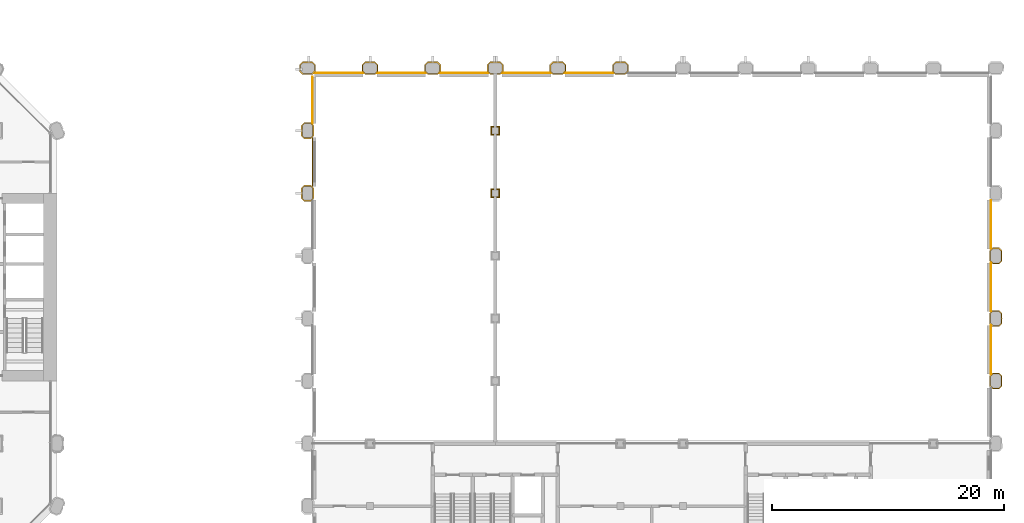
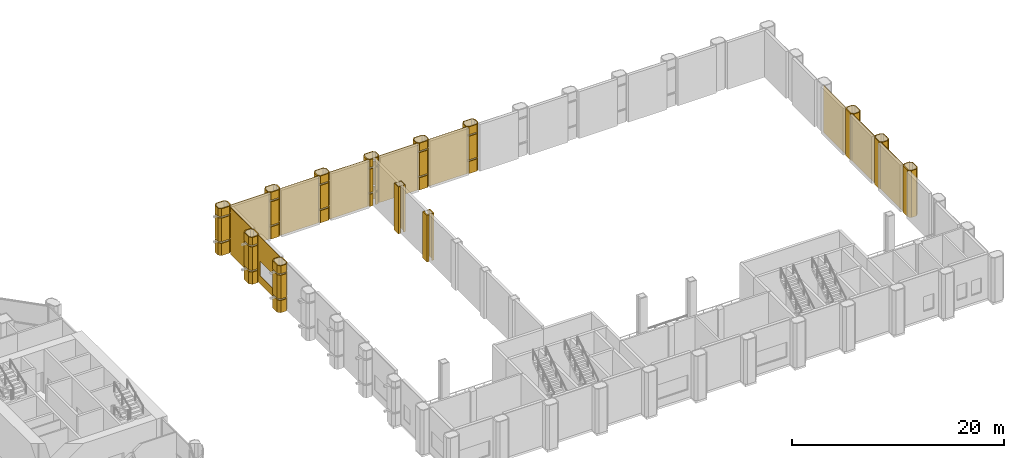
# One storey, part 26 of 27: 41 coverings.
"""IFC4 building model written with IfcOpenShell, lengths in metres."""

import ifcopenshell
import ifcopenshell.guid

model = None  # the IFC model being written
_history = None  # IfcOwnerHistory: only IFC2X3 demands one
_inside = {}  # id of a spatial element -> (the spatial element, [elements in it])
_under = {}  # id of a project, library or spatial element -> (it, [spatial elements below it])
_declared = {}  # id of a project -> (the project, [libraries it declares])
_typed = {}  # id of a type object -> (the type object, [elements of that type])
_made_of = {}  # id of a material, layer set ... -> (it, [elements and type objects made of it])


def new_model(schema):
    """Start an empty IFC model of exactly this schema.

    Asked for "IFC4X3", IfcOpenShell would pick the latest addendum, in which some entities
    have other attributes; the version numbers below select the first issue.
    IFC2X3 requires an IfcOwnerHistory on every rooted entity: one is made here for all.
    """
    global model, _history
    if schema == "IFC4X3":
        model = ifcopenshell.file(schema_version=(4, 3, 0, 0))
    else:
        model = ifcopenshell.file(schema=schema)
    _inside.clear()
    _under.clear()
    _declared.clear()
    _typed.clear()
    _made_of.clear()
    _history = None
    if model.schema == "IFC2X3":
        org = make("IfcOrganization", Name="unknown")
        user = make(
            "IfcPersonAndOrganization",
            ThePerson=make("IfcPerson", FamilyName="unknown"),
            TheOrganization=org,
        )
        app = make(
            "IfcApplication",
            ApplicationDeveloper=org,
            Version="unknown",
            ApplicationFullName="unknown",
            ApplicationIdentifier="unknown",
        )
        _history = make(
            "IfcOwnerHistory",
            OwningUser=user,
            OwningApplication=app,
            ChangeAction="ADDED",
            CreationDate=0,
        )
    return model


def make(cls, **values):
    """One entity of the class cls with the attributes given. An attribute that is None is left unset."""
    return model.create_entity(
        cls, **{name: value for name, value in values.items() if value is not None}
    )


def rooted(cls, **values):
    """An entity with a GlobalId (a new one), such as an element, a storey or a relation."""
    return make(cls, GlobalId=ifcopenshell.guid.new(), OwnerHistory=_history, **values)


def si_unit(unit_type, name, prefix=None):
    """IfcSIUnit, for example si_unit("LENGTHUNIT", "METRE", prefix="MILLI")."""
    return make("IfcSIUnit", UnitType=unit_type, Prefix=prefix, Name=name)


def assignment(units):
    """IfcUnitAssignment: the units of a project."""
    return None if units is None else make("IfcUnitAssignment", Units=units)


def point(xyz):
    """IfcCartesianPoint."""
    return None if xyz is None else make("IfcCartesianPoint", Coordinates=xyz)


def direction(xyz):
    """IfcDirection."""
    return None if xyz is None else make("IfcDirection", DirectionRatios=xyz)


def frame(location, z_axis=None, x_axis=None):
    """IfcAxis2Placement3D, a coordinate frame: its origin and axes. An axis left out is left unset."""
    return make(
        "IfcAxis2Placement3D",
        Location=point(location),
        Axis=direction(z_axis),
        RefDirection=direction(x_axis),
    )


def frame_2d(location, x_axis=None):
    """IfcAxis2Placement2D, a coordinate frame in the plane: its origin and x axis."""
    return make(
        "IfcAxis2Placement2D", Location=point(location), RefDirection=direction(x_axis)
    )


def origin():
    """The frame at (0, 0, 0) with its axes left unset."""
    return frame((0.0, 0.0, 0.0))


def place(relative_to, where):
    """IfcLocalPlacement: puts the frame where relative to a parent placement (None: the world)."""
    return make(
        "IfcLocalPlacement", PlacementRelTo=relative_to, RelativePlacement=where
    )


def context(
    kind, dimensions, precision=None, world=None, true_north=None, identifier=None
):
    """IfcGeometricRepresentationContext, for example the 3D "Model" context."""
    return make(
        "IfcGeometricRepresentationContext",
        ContextIdentifier=identifier,
        ContextType=kind,
        CoordinateSpaceDimension=dimensions,
        Precision=precision,
        WorldCoordinateSystem=world,
        TrueNorth=true_north,
    )


def subcontext(parent, identifier, kind, view, scale=None):
    """IfcGeometricRepresentationSubContext, for example "Body" below "Model"."""
    return make(
        "IfcGeometricRepresentationSubContext",
        ContextIdentifier=identifier,
        ContextType=kind,
        ParentContext=parent,
        TargetScale=scale,
        TargetView=view,
    )


def project(units=None, contexts=None):
    """IfcProject with its units and contexts."""
    return rooted(
        "IfcProject",
        Name="project",
        RepresentationContexts=contexts,
        UnitsInContext=assignment(units),
    )


def spatial(cls, under=None, at=None, **own):
    """A site, building, storey or space (cls), placed at a placement, below another one or the project."""
    s = rooted(cls, ObjectPlacement=at, **own)
    if under is not None:
        _under.setdefault(under.id(), (under, []))[1].append(s)
    return s


def polyline(points):
    """IfcPolyline through the points."""
    return make("IfcPolyline", Points=[point(p) for p in points])


def profile(cls, at=None, kind="AREA", **sizes):
    """A parametric profile (cls). Its sizes go by their IFC names, for example OverallWidth=200.0."""
    return make(cls, ProfileType=kind, Position=at, **sizes)


def rectangle(**sizes):
    """IfcRectangleProfileDef."""
    return profile("IfcRectangleProfileDef", **sizes)


def outline(outer, holes=None, kind="AREA"):
    """IfcArbitraryClosedProfileDef: a profile drawn as a closed curve; with holes, ...WithVoids."""
    if holes is None:
        return make("IfcArbitraryClosedProfileDef", ProfileType=kind, OuterCurve=outer)
    return make(
        "IfcArbitraryProfileDefWithVoids",
        ProfileType=kind,
        OuterCurve=outer,
        InnerCurves=holes,
    )


def extrude(swept, where, along, depth):
    """IfcExtrudedAreaSolid: the profile swept, set in the frame where, extruded along a direction by depth."""
    return make(
        "IfcExtrudedAreaSolid",
        SweptArea=swept,
        Position=where,
        ExtrudedDirection=direction(along),
        Depth=depth,
    )


def shape(context_of_items, identifier, shape_type, items):
    """IfcShapeRepresentation: the items that make up one representation, for example the "Body"."""
    return make(
        "IfcShapeRepresentation",
        ContextOfItems=context_of_items,
        RepresentationIdentifier=identifier,
        RepresentationType=shape_type,
        Items=items,
    )


def material(Name=None, Category=None):
    """IfcMaterial."""
    return make("IfcMaterial", Name=Name, Category=Category)


def layer(
    of_material, thickness, ventilated=None, Name=None, Category=None, Priority=None
):
    """IfcMaterialLayer: one layer of a wall or slab, of a material (None: an air gap)."""
    return make(
        "IfcMaterialLayer",
        Material=of_material,
        LayerThickness=thickness,
        IsVentilated=ventilated,
        Name=Name,
        Category=Category,
        Priority=Priority,
    )


def layer_set(layers, Name=None):
    """IfcMaterialLayerSet."""
    return make("IfcMaterialLayerSet", MaterialLayers=layers, LayerSetName=Name)


def made_of(thing, what):
    """Note that an element or type object is made of a material, layer set ...; save() writes the relation."""
    if what is not None:
        _made_of.setdefault(what.id(), (what, []))[1].append(thing)
    return thing


def type_object(cls, material=None, **own):
    """A type object (cls), such as IfcWallType, which elements share."""
    return made_of(rooted(cls, **own), material)


def element(
    cls,
    number,
    at=None,
    inside=None,
    cuts=None,
    type_object=None,
    material=None,
    context=None,
    identifier="Body",
    shape_type=None,
    held_by="IfcProductDefinitionShape",
    body=None,
    shapes=None,
    **own,
):
    """One element of the class cls, such as IfcWall. Its Tag is "e" and its number.

    at: its placement. inside: the storey or other place that contains it. cuts: it is an
    opening in that element (IfcRelVoidsElement). A single representation is given by context,
    identifier, shape_type and body (its items); several are given by shapes. held_by: the class
    of the entity that holds the representations. save() writes the other relations.
    """
    e = rooted(cls, Tag="e%d" % number, ObjectPlacement=at, **own)
    if body is not None:
        shapes = [shape(context, identifier, shape_type, body)]
    if shapes is not None:
        e.Representation = make(held_by, Representations=shapes)
    if inside is not None:
        _inside.setdefault(inside.id(), (inside, []))[1].append(e)
    if cuts is not None:
        rooted(
            "IfcRelVoidsElement", RelatingBuildingElement=cuts, RelatedOpeningElement=e
        )
    if type_object is not None:
        _typed.setdefault(type_object.id(), (type_object, []))[1].append(e)
    return made_of(e, material)


def aggregate(whole, parts):
    """IfcRelAggregates: a whole, such as a stair, and the parts it consists of."""
    return rooted("IfcRelAggregates", RelatingObject=whole, RelatedObjects=parts)


def save(model, path):
    """Write the relations noted so far, then the file.

    IfcRelAggregates (storeys below a building ...), IfcRelContainedInSpatialStructure (elements
    in a storey), IfcRelDefinesByType, IfcRelAssociatesMaterial and IfcRelDeclares: one each for
    every whole, place, type object, material and project.
    """
    for whole, parts in _under.values():
        aggregate(whole, parts)
    for where, things in _inside.values():
        rooted(
            "IfcRelContainedInSpatialStructure",
            RelatedElements=things,
            RelatingStructure=where,
        )
    for kind, things in _typed.values():
        rooted("IfcRelDefinesByType", RelatedObjects=things, RelatingType=kind)
    for what, things in _made_of.values():
        rooted("IfcRelAssociatesMaterial", RelatedObjects=things, RelatingMaterial=what)
    for by, libraries in _declared.values():
        rooted("IfcRelDeclares", RelatingContext=by, RelatedDefinitions=libraries)
    model.write(path)


model = new_model("IFC4")

# Units and contexts
model_context = context("Model", 3, precision=1e-05, world=origin(), true_north=direction((0.0, 1.0)))
body_context = subcontext(model_context, "Body", "Model", "MODEL_VIEW")
ifc_project = project(units=[si_unit("LENGTHUNIT", "METRE"), si_unit("AREAUNIT", "SQUARE_METRE"), si_unit("VOLUMEUNIT", "CUBIC_METRE"), si_unit("PLANEANGLEUNIT", "RADIAN"), si_unit("MASSUNIT", "GRAM", prefix="KILO")], contexts=[model_context])

# Site, building, storey
site_placement = place(None, origin())
site = spatial("IfcSite", under=ifc_project, at=site_placement, CompositionType="ELEMENT")
building_placement = place(site_placement, origin())
building = spatial("IfcBuilding", under=site, at=building_placement, Name="Tabaq Tower and Sports Hall", CompositionType="ELEMENT")
storey_placement = place(building_placement, frame((0.0, 0.0, 14.39990234375)))
storey = spatial("IfcBuildingStorey", under=building, at=storey_placement, Name="L02", CompositionType="ELEMENT", Elevation=14.39990234375)

# Coverings
ifc_material_1 = material(Name="Precast concrete C60/75", Category="concrete")
ifc_layer_1 = layer(ifc_material_1, 0.10009765625)
ifc_layer_set_1 = layer_set([ifc_layer_1], Name="Column cladding 100")
covering_type_1 = type_object("IfcCoveringType", Name="Column cladding 100", PredefinedType="CLADDING", material=ifc_layer_set_1)
covering_1_placement = place(storey_placement, origin())
element("IfcCovering", 1, at=covering_1_placement, inside=storey, type_object=covering_type_1, Name="Column cladding L02 HC-13G", PredefinedType="CLADDING", context=body_context, shape_type="SweptSolid", body=[
    extrude(outline(polyline([(65.09130859375, 31.7001953125), (64.5087890625, 31.7001953125), (64.250244140625, 31.958740234375), (64.250244140625, 32.84130859375), (64.5087890625, 33.099609375), (65.09130859375, 33.099609375), (65.349609375, 32.84130859375), (65.349609375, 31.958740234375), (65.09130859375, 31.7001953125)]), holes=[polyline([(65.250244140625, 32.800048828125), (65.050048828125, 33.000244140625), (64.5498046875, 33.000244140625), (64.349609375, 32.800048828125), (64.349609375, 31.999755859375), (64.5498046875, 31.7998046875), (65.050048828125, 31.7998046875), (65.250244140625, 31.999755859375), (65.250244140625, 32.800048828125)])]), origin(), (0.0, 0.0, 1.0), 1.400146484375),
])
covering_2_placement = place(storey_placement, frame((0.0, 0.0, 1.60009765625)))
element("IfcCovering", 2, at=covering_2_placement, inside=storey, type_object=covering_type_1, Name="Column cladding L02 HC-13G 2", PredefinedType="CLADDING", context=body_context, shape_type="SweptSolid", body=[
    extrude(outline(polyline([(65.09130859375, 31.7001953125), (64.5087890625, 31.7001953125), (64.250244140625, 31.958740234375), (64.250244140625, 32.84130859375), (64.5087890625, 33.099609375), (65.09130859375, 33.099609375), (65.349609375, 32.84130859375), (65.349609375, 31.958740234375), (65.09130859375, 31.7001953125)]), holes=[polyline([(65.250244140625, 32.800048828125), (65.050048828125, 33.000244140625), (64.5498046875, 33.000244140625), (64.349609375, 32.800048828125), (64.349609375, 31.999755859375), (64.5498046875, 31.7998046875), (65.050048828125, 31.7998046875), (65.250244140625, 31.999755859375), (65.250244140625, 32.800048828125)])]), origin(), (0.0, 0.0, 1.0), 2.699951171875),
])
covering_3_placement = place(storey_placement, frame((0.0, 0.0, 4.5)))
element("IfcCovering", 3, at=covering_3_placement, inside=storey, type_object=covering_type_1, Name="Column cladding L02 HC-13G 3", PredefinedType="CLADDING", context=body_context, shape_type="SweptSolid", body=[
    extrude(outline(polyline([(65.09130859375, 31.7001953125), (64.5087890625, 31.7001953125), (64.250244140625, 31.958740234375), (64.250244140625, 32.84130859375), (64.5087890625, 33.099609375), (65.09130859375, 33.099609375), (65.349609375, 32.84130859375), (65.349609375, 31.958740234375), (65.09130859375, 31.7001953125)]), holes=[polyline([(65.250244140625, 32.800048828125), (65.050048828125, 33.000244140625), (64.5498046875, 33.000244140625), (64.349609375, 32.800048828125), (64.349609375, 31.999755859375), (64.5498046875, 31.7998046875), (65.050048828125, 31.7998046875), (65.250244140625, 31.999755859375), (65.250244140625, 32.800048828125)])]), origin(), (0.0, 0.0, 1.0), 0.900146484375),
])
covering_4_placement = place(storey_placement, origin())
element("IfcCovering", 4, at=covering_4_placement, inside=storey, type_object=covering_type_1, Name="Column cladding L02 HC-13H", PredefinedType="CLADDING", context=body_context, shape_type="SweptSolid", body=[
    extrude(outline(polyline([(65.09130859375, 37.100341796875), (64.5087890625, 37.100341796875), (64.250244140625, 37.358642578125), (64.250244140625, 38.2412109375), (64.5087890625, 38.499755859375), (65.09130859375, 38.499755859375), (65.349609375, 38.2412109375), (65.349609375, 37.358642578125), (65.09130859375, 37.100341796875)]), holes=[polyline([(65.250244140625, 38.2001953125), (65.050048828125, 38.400390625), (64.5498046875, 38.400390625), (64.349609375, 38.2001953125), (64.349609375, 37.39990234375), (64.5498046875, 37.19970703125), (65.050048828125, 37.19970703125), (65.250244140625, 37.39990234375), (65.250244140625, 38.2001953125)])]), origin(), (0.0, 0.0, 1.0), 1.400146484375),
])
covering_5_placement = place(storey_placement, frame((0.0, 0.0, 1.60009765625)))
element("IfcCovering", 5, at=covering_5_placement, inside=storey, type_object=covering_type_1, Name="Column cladding L02 HC-13H 2", PredefinedType="CLADDING", context=body_context, shape_type="SweptSolid", body=[
    extrude(outline(polyline([(65.09130859375, 37.100341796875), (64.5087890625, 37.100341796875), (64.250244140625, 37.358642578125), (64.250244140625, 38.2412109375), (64.5087890625, 38.499755859375), (65.09130859375, 38.499755859375), (65.349609375, 38.2412109375), (65.349609375, 37.358642578125), (65.09130859375, 37.100341796875)]), holes=[polyline([(65.250244140625, 38.2001953125), (65.050048828125, 38.400390625), (64.5498046875, 38.400390625), (64.349609375, 38.2001953125), (64.349609375, 37.39990234375), (64.5498046875, 37.19970703125), (65.050048828125, 37.19970703125), (65.250244140625, 37.39990234375), (65.250244140625, 38.2001953125)])]), origin(), (0.0, 0.0, 1.0), 2.699951171875),
])
covering_6_placement = place(storey_placement, frame((0.0, 0.0, 4.5)))
element("IfcCovering", 6, at=covering_6_placement, inside=storey, type_object=covering_type_1, Name="Column cladding L02 HC-13H 3", PredefinedType="CLADDING", context=body_context, shape_type="SweptSolid", body=[
    extrude(outline(polyline([(65.09130859375, 37.100341796875), (64.5087890625, 37.100341796875), (64.250244140625, 37.358642578125), (64.250244140625, 38.2412109375), (64.5087890625, 38.499755859375), (65.09130859375, 38.499755859375), (65.349609375, 38.2412109375), (65.349609375, 37.358642578125), (65.09130859375, 37.100341796875)]), holes=[polyline([(65.250244140625, 38.2001953125), (65.050048828125, 38.400390625), (64.5498046875, 38.400390625), (64.349609375, 38.2001953125), (64.349609375, 37.39990234375), (64.5498046875, 37.19970703125), (65.050048828125, 37.19970703125), (65.250244140625, 37.39990234375), (65.250244140625, 38.2001953125)])]), origin(), (0.0, 0.0, 1.0), 0.900146484375),
])
covering_7_placement = place(storey_placement, origin())
element("IfcCovering", 7, at=covering_7_placement, inside=storey, type_object=covering_type_1, Name="Column cladding L02 HC-13I", PredefinedType="CLADDING", context=body_context, shape_type="SweptSolid", body=[
    extrude(outline(polyline([(64.100341796875, 42.90869140625), (64.100341796875, 43.4912109375), (64.358642578125, 43.749755859375), (65.2412109375, 43.749755859375), (65.499755859375, 43.4912109375), (65.499755859375, 42.90869140625), (65.2412109375, 42.650390625), (64.358642578125, 42.650390625), (64.100341796875, 42.90869140625)]), holes=[polyline([(65.2001953125, 42.749755859375), (65.400390625, 42.949951171875), (65.400390625, 43.4501953125), (65.2001953125, 43.650390625), (64.39990234375, 43.650390625), (64.19970703125, 43.4501953125), (64.19970703125, 42.949951171875), (64.39990234375, 42.749755859375), (65.2001953125, 42.749755859375)])]), origin(), (0.0, 0.0, 1.0), 1.400146484375),
])
covering_8_placement = place(storey_placement, frame((0.0, 0.0, 1.60009765625)))
element("IfcCovering", 8, at=covering_8_placement, inside=storey, type_object=covering_type_1, Name="Column cladding L02 HC-13I 2", PredefinedType="CLADDING", context=body_context, shape_type="SweptSolid", body=[
    extrude(outline(polyline([(64.100341796875, 42.90869140625), (64.100341796875, 43.4912109375), (64.358642578125, 43.749755859375), (65.2412109375, 43.749755859375), (65.499755859375, 43.4912109375), (65.499755859375, 42.90869140625), (65.2412109375, 42.650390625), (64.358642578125, 42.650390625), (64.100341796875, 42.90869140625)]), holes=[polyline([(65.2001953125, 42.749755859375), (65.400390625, 42.949951171875), (65.400390625, 43.4501953125), (65.2001953125, 43.650390625), (64.39990234375, 43.650390625), (64.19970703125, 43.4501953125), (64.19970703125, 42.949951171875), (64.39990234375, 42.749755859375), (65.2001953125, 42.749755859375)])]), origin(), (0.0, 0.0, 1.0), 2.699951171875),
])
covering_9_placement = place(storey_placement, frame((0.0, 0.0, 4.5)))
element("IfcCovering", 9, at=covering_9_placement, inside=storey, type_object=covering_type_1, Name="Column cladding L02 HC-13I 3", PredefinedType="CLADDING", context=body_context, shape_type="SweptSolid", body=[
    extrude(outline(polyline([(64.100341796875, 42.90869140625), (64.100341796875, 43.4912109375), (64.358642578125, 43.749755859375), (65.2412109375, 43.749755859375), (65.499755859375, 43.4912109375), (65.499755859375, 42.90869140625), (65.2412109375, 42.650390625), (64.358642578125, 42.650390625), (64.100341796875, 42.90869140625)]), holes=[polyline([(65.2001953125, 42.749755859375), (65.400390625, 42.949951171875), (65.400390625, 43.4501953125), (65.2001953125, 43.650390625), (64.39990234375, 43.650390625), (64.19970703125, 43.4501953125), (64.19970703125, 42.949951171875), (64.39990234375, 42.749755859375), (65.2001953125, 42.749755859375)])]), origin(), (0.0, 0.0, 1.0), 0.900146484375),
])
covering_10_placement = place(storey_placement, origin())
element("IfcCovering", 10, at=covering_10_placement, inside=storey, type_object=covering_type_1, Name="Column cladding L02 HC-14I", PredefinedType="CLADDING", context=body_context, shape_type="SweptSolid", body=[
    extrude(outline(polyline([(69.500244140625, 42.90869140625), (69.500244140625, 43.4912109375), (69.7587890625, 43.749755859375), (70.641357421875, 43.749755859375), (70.899658203125, 43.4912109375), (70.899658203125, 42.90869140625), (70.641357421875, 42.650390625), (69.7587890625, 42.650390625), (69.500244140625, 42.90869140625)]), holes=[polyline([(70.60009765625, 42.749755859375), (70.80029296875, 42.949951171875), (70.80029296875, 43.4501953125), (70.60009765625, 43.650390625), (69.7998046875, 43.650390625), (69.599609375, 43.4501953125), (69.599609375, 42.949951171875), (69.7998046875, 42.749755859375), (70.60009765625, 42.749755859375)])]), origin(), (0.0, 0.0, 1.0), 1.400146484375),
])
covering_11_placement = place(storey_placement, frame((0.0, 0.0, 1.60009765625)))
element("IfcCovering", 11, at=covering_11_placement, inside=storey, type_object=covering_type_1, Name="Column cladding L02 HC-14I 2", PredefinedType="CLADDING", context=body_context, shape_type="SweptSolid", body=[
    extrude(outline(polyline([(69.500244140625, 42.90869140625), (69.500244140625, 43.4912109375), (69.7587890625, 43.749755859375), (70.641357421875, 43.749755859375), (70.899658203125, 43.4912109375), (70.899658203125, 42.90869140625), (70.641357421875, 42.650390625), (69.7587890625, 42.650390625), (69.500244140625, 42.90869140625)]), holes=[polyline([(70.60009765625, 42.749755859375), (70.80029296875, 42.949951171875), (70.80029296875, 43.4501953125), (70.60009765625, 43.650390625), (69.7998046875, 43.650390625), (69.599609375, 43.4501953125), (69.599609375, 42.949951171875), (69.7998046875, 42.749755859375), (70.60009765625, 42.749755859375)])]), origin(), (0.0, 0.0, 1.0), 2.699951171875),
])
covering_12_placement = place(storey_placement, frame((0.0, 0.0, 4.5)))
element("IfcCovering", 12, at=covering_12_placement, inside=storey, type_object=covering_type_1, Name="Column cladding L02 HC-14I 3", PredefinedType="CLADDING", context=body_context, shape_type="SweptSolid", body=[
    extrude(outline(polyline([(69.500244140625, 42.90869140625), (69.500244140625, 43.4912109375), (69.7587890625, 43.749755859375), (70.641357421875, 43.749755859375), (70.899658203125, 43.4912109375), (70.899658203125, 42.90869140625), (70.641357421875, 42.650390625), (69.7587890625, 42.650390625), (69.500244140625, 42.90869140625)]), holes=[polyline([(70.60009765625, 42.749755859375), (70.80029296875, 42.949951171875), (70.80029296875, 43.4501953125), (70.60009765625, 43.650390625), (69.7998046875, 43.650390625), (69.599609375, 43.4501953125), (69.599609375, 42.949951171875), (69.7998046875, 42.749755859375), (70.60009765625, 42.749755859375)])]), origin(), (0.0, 0.0, 1.0), 0.900146484375),
])
covering_13_placement = place(storey_placement, origin())
element("IfcCovering", 13, at=covering_13_placement, inside=storey, type_object=covering_type_1, Name="Column cladding L02 HC-15I", PredefinedType="CLADDING", context=body_context, shape_type="SweptSolid", body=[
    extrude(outline(polyline([(74.900390625, 42.90869140625), (74.900390625, 43.4912109375), (75.15869140625, 43.749755859375), (76.041259765625, 43.749755859375), (76.2998046875, 43.4912109375), (76.2998046875, 42.90869140625), (76.041259765625, 42.650390625), (75.15869140625, 42.650390625), (74.900390625, 42.90869140625)]), holes=[polyline([(76.000244140625, 42.749755859375), (76.2001953125, 42.949951171875), (76.2001953125, 43.4501953125), (76.000244140625, 43.650390625), (75.199951171875, 43.650390625), (74.999755859375, 43.4501953125), (74.999755859375, 42.949951171875), (75.199951171875, 42.749755859375), (76.000244140625, 42.749755859375)])]), origin(), (0.0, 0.0, 1.0), 1.400146484375),
])
covering_14_placement = place(storey_placement, frame((0.0, 0.0, 1.60009765625)))
element("IfcCovering", 14, at=covering_14_placement, inside=storey, type_object=covering_type_1, Name="Column cladding L02 HC-15I 2", PredefinedType="CLADDING", context=body_context, shape_type="SweptSolid", body=[
    extrude(outline(polyline([(74.900390625, 42.90869140625), (74.900390625, 43.4912109375), (75.15869140625, 43.749755859375), (76.041259765625, 43.749755859375), (76.2998046875, 43.4912109375), (76.2998046875, 42.90869140625), (76.041259765625, 42.650390625), (75.15869140625, 42.650390625), (74.900390625, 42.90869140625)]), holes=[polyline([(76.000244140625, 42.749755859375), (76.2001953125, 42.949951171875), (76.2001953125, 43.4501953125), (76.000244140625, 43.650390625), (75.199951171875, 43.650390625), (74.999755859375, 43.4501953125), (74.999755859375, 42.949951171875), (75.199951171875, 42.749755859375), (76.000244140625, 42.749755859375)])]), origin(), (0.0, 0.0, 1.0), 2.699951171875),
])
covering_15_placement = place(storey_placement, frame((0.0, 0.0, 4.5)))
element("IfcCovering", 15, at=covering_15_placement, inside=storey, type_object=covering_type_1, Name="Column cladding L02 HC-15I 3", PredefinedType="CLADDING", context=body_context, shape_type="SweptSolid", body=[
    extrude(outline(polyline([(74.900390625, 42.90869140625), (74.900390625, 43.4912109375), (75.15869140625, 43.749755859375), (76.041259765625, 43.749755859375), (76.2998046875, 43.4912109375), (76.2998046875, 42.90869140625), (76.041259765625, 42.650390625), (75.15869140625, 42.650390625), (74.900390625, 42.90869140625)]), holes=[polyline([(76.000244140625, 42.749755859375), (76.2001953125, 42.949951171875), (76.2001953125, 43.4501953125), (76.000244140625, 43.650390625), (75.199951171875, 43.650390625), (74.999755859375, 43.4501953125), (74.999755859375, 42.949951171875), (75.199951171875, 42.749755859375), (76.000244140625, 42.749755859375)])]), origin(), (0.0, 0.0, 1.0), 0.900146484375),
])
covering_16_placement = place(storey_placement, origin())
element("IfcCovering", 16, at=covering_16_placement, inside=storey, type_object=covering_type_1, Name="Column cladding L02 HC-16G", PredefinedType="CLADDING", context=body_context, shape_type="SweptSolid", body=[
    extrude(outline(polyline([(80.849609375, 32.7998046875), (80.849609375, 32.7001953125), (80.69970703125, 32.7001953125), (80.69970703125, 32.099609375), (80.849609375, 32.099609375), (80.849609375, 32.000244140625), (80.600341796875, 32.000244140625), (80.600341796875, 32.7998046875), (80.849609375, 32.7998046875)])), origin(), (0.0, 0.0, 1.0), 5.400146484375),
])
covering_17_placement = place(storey_placement, origin())
element("IfcCovering", 17, at=covering_17_placement, inside=storey, type_object=covering_type_1, Name="Column cladding L02 HC-16G 2", PredefinedType="CLADDING", context=body_context, shape_type="SweptSolid", body=[
    extrude(outline(polyline([(81.399658203125, 32.7998046875), (81.399658203125, 32.000244140625), (81.150390625, 32.000244140625), (81.150390625, 32.099609375), (81.30029296875, 32.099609375), (81.30029296875, 32.7001953125), (81.150390625, 32.7001953125), (81.150390625, 32.7998046875), (81.399658203125, 32.7998046875)])), origin(), (0.0, 0.0, 1.0), 5.400146484375),
])
covering_18_placement = place(storey_placement, origin())
element("IfcCovering", 18, at=covering_18_placement, inside=storey, type_object=covering_type_1, Name="Column cladding L02 HC-16H", PredefinedType="CLADDING", context=body_context, shape_type="SweptSolid", body=[
    extrude(outline(polyline([(80.849609375, 38.19970703125), (80.849609375, 38.100341796875), (80.69970703125, 38.100341796875), (80.69970703125, 37.499755859375), (80.849609375, 37.499755859375), (80.849609375, 37.400390625), (80.600341796875, 37.400390625), (80.600341796875, 38.19970703125), (80.849609375, 38.19970703125)])), origin(), (0.0, 0.0, 1.0), 5.400146484375),
])
covering_19_placement = place(storey_placement, origin())
element("IfcCovering", 19, at=covering_19_placement, inside=storey, type_object=covering_type_1, Name="Column cladding L02 HC-16H 2", PredefinedType="CLADDING", context=body_context, shape_type="SweptSolid", body=[
    extrude(outline(polyline([(81.399658203125, 38.19970703125), (81.399658203125, 37.400390625), (81.150390625, 37.400390625), (81.150390625, 37.499755859375), (81.30029296875, 37.499755859375), (81.30029296875, 38.100341796875), (81.150390625, 38.100341796875), (81.150390625, 38.19970703125), (81.399658203125, 38.19970703125)])), origin(), (0.0, 0.0, 1.0), 5.400146484375),
])
covering_20_placement = place(storey_placement, origin())
element("IfcCovering", 20, at=covering_20_placement, inside=storey, type_object=covering_type_1, Name="Column cladding L02 HC-16I", PredefinedType="CLADDING", context=body_context, shape_type="SweptSolid", body=[
    extrude(outline(polyline([(80.30029296875, 43.4912109375), (80.55859375, 43.749755859375), (81.44140625, 43.749755859375), (81.69970703125, 43.4912109375), (81.69970703125, 42.90869140625), (81.44140625, 42.650390625), (81.150390625, 42.650390625), (81.150390625, 42.749755859375), (81.400146484375, 42.749755859375), (81.600341796875, 42.949951171875), (81.600341796875, 43.4501953125), (81.400146484375, 43.650390625), (80.599853515625, 43.650390625), (80.399658203125, 43.4501953125), (80.399658203125, 42.949951171875), (80.599853515625, 42.749755859375), (80.849609375, 42.749755859375), (80.849609375, 42.650390625), (80.55859375, 42.650390625), (80.30029296875, 42.90869140625), (80.30029296875, 43.4912109375)])), origin(), (0.0, 0.0, 1.0), 1.400146484375),
])
covering_21_placement = place(storey_placement, frame((0.0, 0.0, 1.60009765625)))
element("IfcCovering", 21, at=covering_21_placement, inside=storey, type_object=covering_type_1, Name="Column cladding L02 HC-16I 2", PredefinedType="CLADDING", context=body_context, shape_type="SweptSolid", body=[
    extrude(outline(polyline([(80.30029296875, 43.4912109375), (80.55859375, 43.749755859375), (81.44140625, 43.749755859375), (81.69970703125, 43.4912109375), (81.69970703125, 42.90869140625), (81.44140625, 42.650390625), (81.150390625, 42.650390625), (81.150390625, 42.749755859375), (81.400146484375, 42.749755859375), (81.600341796875, 42.949951171875), (81.600341796875, 43.4501953125), (81.400146484375, 43.650390625), (80.599853515625, 43.650390625), (80.399658203125, 43.4501953125), (80.399658203125, 42.949951171875), (80.599853515625, 42.749755859375), (80.849609375, 42.749755859375), (80.849609375, 42.650390625), (80.55859375, 42.650390625), (80.30029296875, 42.90869140625), (80.30029296875, 43.4912109375)])), origin(), (0.0, 0.0, 1.0), 2.699951171875),
])
covering_22_placement = place(storey_placement, frame((0.0, 0.0, 4.5)))
element("IfcCovering", 22, at=covering_22_placement, inside=storey, type_object=covering_type_1, Name="Column cladding L02 HC-16I 3", PredefinedType="CLADDING", context=body_context, shape_type="SweptSolid", body=[
    extrude(outline(polyline([(80.30029296875, 43.4912109375), (80.55859375, 43.749755859375), (81.44140625, 43.749755859375), (81.69970703125, 43.4912109375), (81.69970703125, 42.90869140625), (81.44140625, 42.650390625), (81.150390625, 42.650390625), (81.150390625, 42.749755859375), (81.400146484375, 42.749755859375), (81.600341796875, 42.949951171875), (81.600341796875, 43.4501953125), (81.400146484375, 43.650390625), (80.599853515625, 43.650390625), (80.399658203125, 43.4501953125), (80.399658203125, 42.949951171875), (80.599853515625, 42.749755859375), (80.849609375, 42.749755859375), (80.849609375, 42.650390625), (80.55859375, 42.650390625), (80.30029296875, 42.90869140625), (80.30029296875, 43.4912109375)])), origin(), (0.0, 0.0, 1.0), 0.900146484375),
])
covering_23_placement = place(storey_placement, origin())
element("IfcCovering", 23, at=covering_23_placement, inside=storey, type_object=covering_type_1, Name="Column cladding L02 HC-17I", PredefinedType="CLADDING", context=body_context, shape_type="SweptSolid", body=[
    extrude(outline(polyline([(85.7001953125, 42.90869140625), (85.7001953125, 43.4912109375), (85.958740234375, 43.749755859375), (86.84130859375, 43.749755859375), (87.099609375, 43.4912109375), (87.099609375, 42.90869140625), (86.84130859375, 42.650390625), (85.958740234375, 42.650390625), (85.7001953125, 42.90869140625)]), holes=[polyline([(86.800048828125, 42.749755859375), (87.000244140625, 42.949951171875), (87.000244140625, 43.4501953125), (86.800048828125, 43.650390625), (85.999755859375, 43.650390625), (85.7998046875, 43.4501953125), (85.7998046875, 42.949951171875), (85.999755859375, 42.749755859375), (86.800048828125, 42.749755859375)])]), origin(), (0.0, 0.0, 1.0), 1.400146484375),
])
covering_24_placement = place(storey_placement, frame((0.0, 0.0, 1.60009765625)))
element("IfcCovering", 24, at=covering_24_placement, inside=storey, type_object=covering_type_1, Name="Column cladding L02 HC-17I 2", PredefinedType="CLADDING", context=body_context, shape_type="SweptSolid", body=[
    extrude(outline(polyline([(85.7001953125, 42.90869140625), (85.7001953125, 43.4912109375), (85.958740234375, 43.749755859375), (86.84130859375, 43.749755859375), (87.099609375, 43.4912109375), (87.099609375, 42.90869140625), (86.84130859375, 42.650390625), (85.958740234375, 42.650390625), (85.7001953125, 42.90869140625)]), holes=[polyline([(86.800048828125, 42.749755859375), (87.000244140625, 42.949951171875), (87.000244140625, 43.4501953125), (86.800048828125, 43.650390625), (85.999755859375, 43.650390625), (85.7998046875, 43.4501953125), (85.7998046875, 42.949951171875), (85.999755859375, 42.749755859375), (86.800048828125, 42.749755859375)])]), origin(), (0.0, 0.0, 1.0), 2.699951171875),
])
covering_25_placement = place(storey_placement, frame((0.0, 0.0, 4.5)))
element("IfcCovering", 25, at=covering_25_placement, inside=storey, type_object=covering_type_1, Name="Column cladding L02 HC-17I 3", PredefinedType="CLADDING", context=body_context, shape_type="SweptSolid", body=[
    extrude(outline(polyline([(85.7001953125, 42.90869140625), (85.7001953125, 43.4912109375), (85.958740234375, 43.749755859375), (86.84130859375, 43.749755859375), (87.099609375, 43.4912109375), (87.099609375, 42.90869140625), (86.84130859375, 42.650390625), (85.958740234375, 42.650390625), (85.7001953125, 42.90869140625)]), holes=[polyline([(86.800048828125, 42.749755859375), (87.000244140625, 42.949951171875), (87.000244140625, 43.4501953125), (86.800048828125, 43.650390625), (85.999755859375, 43.650390625), (85.7998046875, 43.4501953125), (85.7998046875, 42.949951171875), (85.999755859375, 42.749755859375), (86.800048828125, 42.749755859375)])]), origin(), (0.0, 0.0, 1.0), 0.900146484375),
])
covering_26_placement = place(storey_placement, origin())
element("IfcCovering", 26, at=covering_26_placement, inside=storey, type_object=covering_type_1, Name="Column cladding L02 HC-18I", PredefinedType="CLADDING", context=body_context, shape_type="SweptSolid", body=[
    extrude(outline(polyline([(91.100341796875, 42.90869140625), (91.100341796875, 43.4912109375), (91.358642578125, 43.749755859375), (92.2412109375, 43.749755859375), (92.499755859375, 43.4912109375), (92.499755859375, 42.90869140625), (92.2412109375, 42.650390625), (91.358642578125, 42.650390625), (91.100341796875, 42.90869140625)]), holes=[polyline([(92.2001953125, 42.749755859375), (92.400390625, 42.949951171875), (92.400390625, 43.4501953125), (92.2001953125, 43.650390625), (91.39990234375, 43.650390625), (91.19970703125, 43.4501953125), (91.19970703125, 42.949951171875), (91.39990234375, 42.749755859375), (92.2001953125, 42.749755859375)])]), origin(), (0.0, 0.0, 1.0), 1.400146484375),
])
covering_27_placement = place(storey_placement, frame((0.0, 0.0, 1.60009765625)))
element("IfcCovering", 27, at=covering_27_placement, inside=storey, type_object=covering_type_1, Name="Column cladding L02 HC-18I 2", PredefinedType="CLADDING", context=body_context, shape_type="SweptSolid", body=[
    extrude(outline(polyline([(91.100341796875, 42.90869140625), (91.100341796875, 43.4912109375), (91.358642578125, 43.749755859375), (92.2412109375, 43.749755859375), (92.499755859375, 43.4912109375), (92.499755859375, 42.90869140625), (92.2412109375, 42.650390625), (91.358642578125, 42.650390625), (91.100341796875, 42.90869140625)]), holes=[polyline([(92.2001953125, 42.749755859375), (92.400390625, 42.949951171875), (92.400390625, 43.4501953125), (92.2001953125, 43.650390625), (91.39990234375, 43.650390625), (91.19970703125, 43.4501953125), (91.19970703125, 42.949951171875), (91.39990234375, 42.749755859375), (92.2001953125, 42.749755859375)])]), origin(), (0.0, 0.0, 1.0), 2.699951171875),
])
covering_28_placement = place(storey_placement, frame((0.0, 0.0, 4.5)))
element("IfcCovering", 28, at=covering_28_placement, inside=storey, type_object=covering_type_1, Name="Column cladding L02 HC-18I 3", PredefinedType="CLADDING", context=body_context, shape_type="SweptSolid", body=[
    extrude(outline(polyline([(91.100341796875, 42.90869140625), (91.100341796875, 43.4912109375), (91.358642578125, 43.749755859375), (92.2412109375, 43.749755859375), (92.499755859375, 43.4912109375), (92.499755859375, 42.90869140625), (92.2412109375, 42.650390625), (91.358642578125, 42.650390625), (91.100341796875, 42.90869140625)]), holes=[polyline([(92.2001953125, 42.749755859375), (92.400390625, 42.949951171875), (92.400390625, 43.4501953125), (92.2001953125, 43.650390625), (91.39990234375, 43.650390625), (91.19970703125, 43.4501953125), (91.19970703125, 42.949951171875), (91.39990234375, 42.749755859375), (92.2001953125, 42.749755859375)])]), origin(), (0.0, 0.0, 1.0), 0.900146484375),
])
covering_29_placement = place(storey_placement, origin())
element("IfcCovering", 29, at=covering_29_placement, inside=storey, type_object=covering_type_1, Name="Column cladding L02 HC-24D", PredefinedType="CLADDING", context=body_context, shape_type="SweptSolid", body=[
    extrude(outline(polyline([(123.90869140625, 15.500244140625), (123.650390625, 15.7587890625), (123.650390625, 16.641357421875), (123.90869140625, 16.899658203125), (124.4912109375, 16.899658203125), (124.73974609375, 16.6513671875), (124.73974609375, 15.748779296875), (124.4912109375, 15.500244140625), (123.90869140625, 15.500244140625)]), holes=[polyline([(124.4501953125, 16.80029296875), (123.949951171875, 16.80029296875), (123.749755859375, 16.60009765625), (123.749755859375, 15.7998046875), (123.949951171875, 15.599609375), (124.4501953125, 15.599609375), (124.650390625, 15.7998046875), (124.650390625, 16.60009765625), (124.4501953125, 16.80029296875)])]), origin(), (0.0, 0.0, 1.0), 5.400146484375),
])
covering_30_placement = place(storey_placement, origin())
element("IfcCovering", 30, at=covering_30_placement, inside=storey, type_object=covering_type_1, Name="Column cladding L02 HC-24E", PredefinedType="CLADDING", context=body_context, shape_type="SweptSolid", body=[
    extrude(outline(polyline([(123.90869140625, 20.900390625), (123.650390625, 21.15869140625), (123.650390625, 22.041259765625), (123.90869140625, 22.2998046875), (124.4912109375, 22.2998046875), (124.73974609375, 22.05126953125), (124.73974609375, 21.61962890625), (124.749755859375, 21.61962890625), (124.749755859375, 21.580322265625), (124.73974609375, 21.580322265625), (124.73974609375, 21.148681640625), (124.4912109375, 20.900390625), (123.90869140625, 20.900390625)]), holes=[polyline([(124.4501953125, 22.2001953125), (123.949951171875, 22.2001953125), (123.749755859375, 22.000244140625), (123.749755859375, 21.199951171875), (123.949951171875, 20.999755859375), (124.4501953125, 20.999755859375), (124.650390625, 21.199951171875), (124.650390625, 22.000244140625), (124.4501953125, 22.2001953125)])]), origin(), (0.0, 0.0, 1.0), 5.400146484375),
])
covering_31_placement = place(storey_placement, origin())
element("IfcCovering", 31, at=covering_31_placement, inside=storey, type_object=covering_type_1, Name="Column cladding L02 HC-24F", PredefinedType="CLADDING", context=body_context, shape_type="SweptSolid", body=[
    extrude(outline(polyline([(123.90869140625, 26.30029296875), (123.650390625, 26.55859375), (123.650390625, 27.44140625), (123.90869140625, 27.69970703125), (124.4912109375, 27.69970703125), (124.73974609375, 27.451416015625), (124.73974609375, 26.548583984375), (124.4912109375, 26.30029296875), (123.90869140625, 26.30029296875)]), holes=[polyline([(124.4501953125, 27.600341796875), (123.949951171875, 27.600341796875), (123.749755859375, 27.400146484375), (123.749755859375, 26.599853515625), (123.949951171875, 26.399658203125), (124.4501953125, 26.399658203125), (124.650390625, 26.599853515625), (124.650390625, 27.400146484375), (124.4501953125, 27.600341796875)])]), origin(), (0.0, 0.0, 1.0), 5.400146484375),
])
ifc_material_2 = material(Name="Precast concrete C60/75", Category="concrete")
ifc_layer_2 = layer(ifc_material_2, 0.06005859375)
ifc_layer_set_2 = layer_set([ifc_layer_2], Name="White precast cladding panel 60 C60/75")
covering_type_2 = type_object("IfcCoveringType", Name="White precast cladding panel 60 C60/75", PredefinedType="CLADDING", material=ifc_layer_set_2)
for number, where, z_axis, x_axis, name in (
    (32, (123.780029296875, 16.800048828125, 0.0), (0.0, 0.0, 1.0), (0.0, 1.0, 0.0), "White precast cladding panel L02 L02"),
    (33, (123.780029296875, 22.199951171875, 0.0), (0.0, 0.0, 1.0), (0.0, 1.0, 0.0), "White precast cladding panel L02 L02"),
    (34, (123.780029296875, 27.60009765625, 0.0), (0.0, 0.0, 1.0), (0.0, 1.0, 0.0), "White precast cladding panel L02 L02"),
):
    element("IfcCovering", number, at=place(storey_placement, frame(where, z_axis=z_axis, x_axis=x_axis)), inside=storey, type_object=covering_type_2, Name=name, PredefinedType="CLADDING", context=body_context, shape_type="SweptSolid", body=[
        extrude(rectangle(XDim=4.199951171875, YDim=0.06005859375, at=frame_2d((2.10009765625, 0.0))), origin(), (0.0, 0.0, 1.0), 5.400146484375),
    ])
covering_32_placement = place(storey_placement, frame((65.39990234375, 42.780029296875, 0.0), z_axis=(0.0, 0.0, 1.0), x_axis=(1.0, 0.0, 0.0)))
element("IfcCovering", 35, at=covering_32_placement, inside=storey, type_object=covering_type_2, Name="White precast cladding panel L02 L02", PredefinedType="CLADDING", context=body_context, shape_type="SweptSolid", body=[
    extrude(rectangle(XDim=4.2001953125, YDim=0.06005859375, at=frame_2d((2.10009765625, 0.0))), origin(), (0.0, 0.0, 1.0), 5.400146484375),
])
for number, where, z_axis, x_axis, name in (
    (36, (70.800048828125, 42.780029296875, 0.0), (0.0, 0.0, 1.0), (1.0, 0.0, 0.0), "White precast cladding panel L02 L02"),
    (37, (76.199951171875, 42.780029296875, 0.0), (0.0, 0.0, 1.0), (1.0, 0.0, 0.0), "White precast cladding panel L02 L02"),
    (38, (81.60009765625, 42.780029296875, 0.0), (0.0, 0.0, 1.0), (1.0, 0.0, 0.0), "White precast cladding panel L02 L02"),
    (39, (87.0, 42.780029296875, 0.0), (0.0, 0.0, 1.0), (1.0, 0.0, 0.0), "White precast cladding panel L02 L02"),
):
    element("IfcCovering", number, at=place(storey_placement, frame(where, z_axis=z_axis, x_axis=x_axis)), inside=storey, type_object=covering_type_2, Name=name, PredefinedType="CLADDING", context=body_context, shape_type="SweptSolid", body=[
        extrude(rectangle(XDim=4.199951171875, YDim=0.06005859375, at=frame_2d((2.10009765625, 0.0))), origin(), (0.0, 0.0, 1.0), 5.400146484375),
    ])
covering_33_placement = place(storey_placement, frame((65.219970703125, 33.0, 0.0), z_axis=(0.0, 0.0, 1.0), x_axis=(0.0, 1.0, 0.0)))
element("IfcCovering", 40, at=covering_33_placement, inside=storey, type_object=covering_type_2, Name="White precast cladding panel L02 L02", PredefinedType="CLADDING", context=body_context, shape_type="SweptSolid", body=[
    extrude(outline(polyline([(0.0, 0.0), (4.199951171875, 0.0), (4.199951171875, 5.400146484375), (0.0, 5.400146484375), (0.0, 0.0)]), holes=[polyline([(0.389892578125, 0.89013671875), (0.389892578125, 2.610107421875), (3.81005859375, 2.610107421875), (3.81005859375, 0.89013671875), (0.389892578125, 0.89013671875)])]), frame((0.0, 0.030029296875, 0.0), z_axis=(0.0, -1.0, 0.0), x_axis=(1.0, 0.0, 0.0)), (0.0, 0.0, 1.0), 0.06005859375),
])
covering_34_placement = place(storey_placement, frame((65.219970703125, 38.39990234375, 0.0), z_axis=(0.0, 0.0, 1.0), x_axis=(0.0, 1.0, 0.0)))
element("IfcCovering", 41, at=covering_34_placement, inside=storey, type_object=covering_type_2, Name="White precast cladding panel L02 L02", PredefinedType="CLADDING", context=body_context, shape_type="SweptSolid", body=[
    extrude(rectangle(XDim=4.050048828125, YDim=0.06005859375, at=frame_2d((2.02490234375, 0.0))), origin(), (0.0, 0.0, 1.0), 5.400146484375),
])

save(model, "model.ifc")
